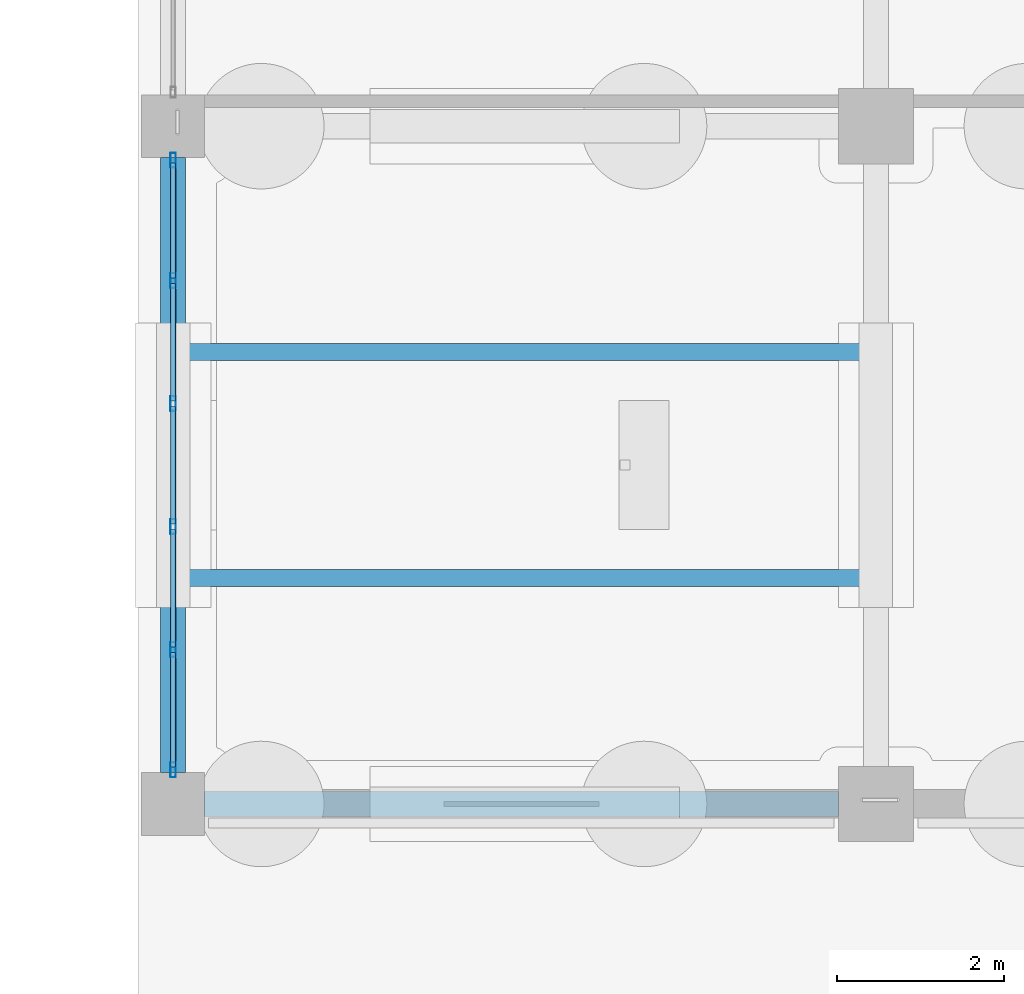
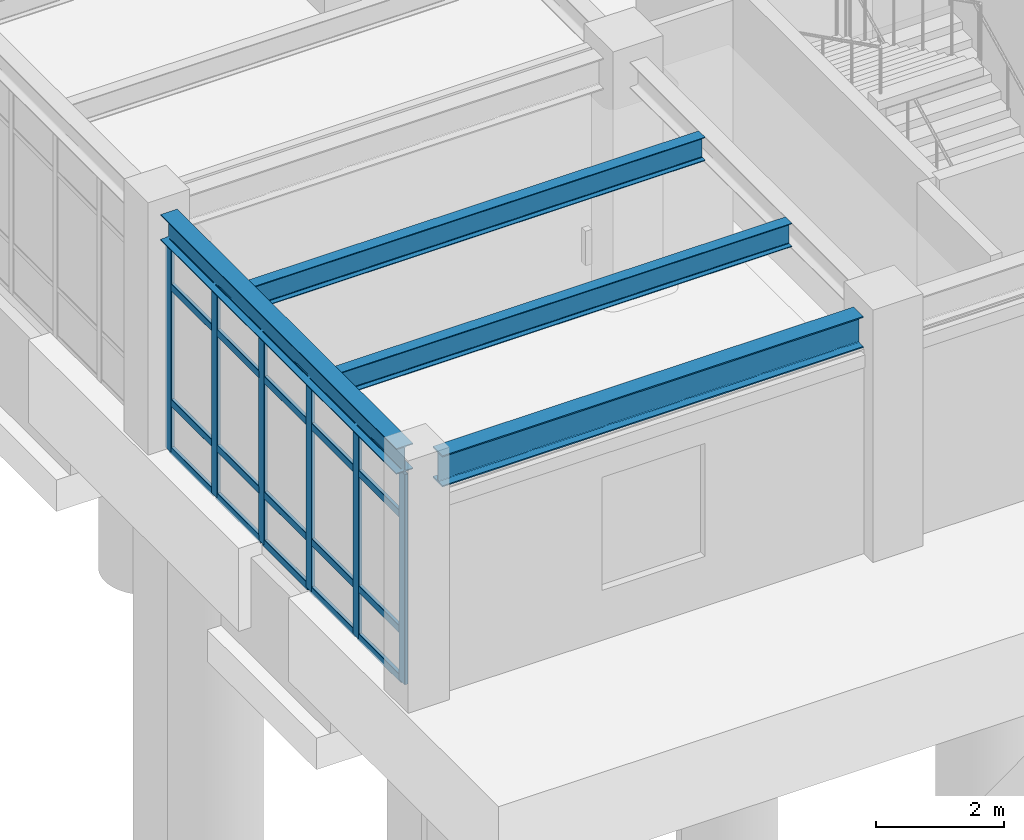
# One storey, part 58 of 139: 26 members, 4 beams, 1 element without a shape of its own.
"""IFC4 building model written with IfcOpenShell, lengths in metres."""

from ifc_helpers import new_model, si_unit, direction, frame, origin, origin_2d, place, context, subcontext, project, spatial, hollow_rectangle, i_section, extrude, material, material_profile, profile_set, type_object, element, aggregate, save


model = new_model("IFC4")

# Units and contexts
model_context = context("Model", 3, precision=1e-05, world=origin(), true_north=direction((0.0, 1.0)))
body_context = subcontext(model_context, "Body", "Model", "MODEL_VIEW")
ifc_project = project(units=[si_unit("LENGTHUNIT", "METRE"), si_unit("AREAUNIT", "SQUARE_METRE"), si_unit("VOLUMEUNIT", "CUBIC_METRE"), si_unit("PLANEANGLEUNIT", "RADIAN"), si_unit("MASSUNIT", "GRAM", prefix="KILO")], contexts=[model_context])

# Site, building, storey
site_placement = place(None, origin())
site = spatial("IfcSite", under=ifc_project, at=site_placement, CompositionType="ELEMENT")
building_placement = place(site_placement, origin())
building = spatial("IfcBuilding", under=site, at=building_placement, Name="Canglan Escarpment Cableway Terminal", CompositionType="ELEMENT")
storey_placement = place(building_placement, frame((0.0, 0.0, 14.39990234375)))
storey = spatial("IfcBuildingStorey", under=building, at=storey_placement, Name="L03", CompositionType="ELEMENT", Elevation=14.39990234375)

# Beams
ifc_material_1 = material(Name="Steel Q355B", Category="steel")
ifc_material_profile_1 = material_profile(ifc_material_1, i_section(OverallWidth=0.300048828125, OverallDepth=0.488037109375, WebThickness=0.010986328125, FlangeThickness=0.01806640625, FilletRadius=0.02587890625, at=origin_2d()), Name="HM 488x300x11x18")
ifc_profile_set_1 = profile_set([ifc_material_profile_1], Name="Steel Q355B")
beam_type_1 = type_object("IfcBeamType", Name="BM-HM488", PredefinedType="BEAM", material=ifc_profile_set_1)
beam_1_placement = place(storey_placement, frame((111.5, 89.27490234375, 4.256103515625), z_axis=(0.0, 1.0, 0.0), x_axis=(-1.0, 0.0, 0.0)))
element("IfcBeam", 1, at=beam_1_placement, inside=storey, type_object=beam_type_1, Name="Primary transverse girder B-09", PredefinedType="BEAM", context=body_context, shape_type="SweptSolid", body=[
    extrude(i_section(OverallWidth=0.300048828125, OverallDepth=0.488037109375, WebThickness=0.010986328125, FlangeThickness=0.01806640625, FilletRadius=0.02587890625, at=origin_2d()), origin(), (0.0, 0.0, 1.0), 7.35009765625),
])
ifc_material_2 = material(Name="Steel Q355C", Category="steel")
ifc_material_profile_2 = material_profile(ifc_material_2, i_section(OverallWidth=0.302001953125, OverallDepth=0.593994140625, WebThickness=0.013916015625, FlangeThickness=0.02294921875, FilletRadius=0.028076171875, at=origin_2d()), Name="HM 594x302x14x23")
ifc_profile_set_2 = profile_set([ifc_material_profile_2], Name="Steel Q355C")
beam_type_2 = type_object("IfcBeamType", Name="BM-HM594", PredefinedType="BEAM", material=ifc_profile_set_2)
beam_2_placement = place(storey_placement, frame((111.875, 88.89990234375, 4.203125), z_axis=(1.0, 0.0, 0.0), x_axis=(0.0, 1.0, 0.0)))
element("IfcBeam", 2, at=beam_2_placement, inside=storey, type_object=beam_type_2, Name="Primary structural girder B-07", PredefinedType="BEAM", context=body_context, shape_type="SweptSolid", body=[
    extrude(i_section(OverallWidth=0.302001953125, OverallDepth=0.593994140625, WebThickness=0.013916015625, FlangeThickness=0.02294921875, FilletRadius=0.028076171875, at=origin_2d()), origin(), (0.0, 0.0, 1.0), 7.574951171875),
])

# Curtain wall, members
ifc_material_3 = material(Name="Anodized bronze aluminium and Low-E double glazing", Category="aluminium")
curtain_wall_type = type_object("IfcCurtainWallType", Name="CW-BAY-7350x4000", PredefinedType="NOTDEFINED", material=ifc_material_3)
curtain_wall_placement = place(storey_placement, origin())
curtain_wall = element("IfcCurtainWall", 3, at=curtain_wall_placement, inside=storey, type_object=curtain_wall_type, Name="Classical bay-between-piers glazed curtain wall CW-47", PredefinedType="NOTDEFINED")
ifc_material_4 = material(Name="Thermally broken anodized aluminium 6063-T6", Category="aluminium")
ifc_material_profile_3 = material_profile(ifc_material_4, hollow_rectangle(XDim=0.06494140625, YDim=0.179931640625, WallThickness=0.00390625, InnerFilletRadius=0.00390625, OuterFilletRadius=0.008056640625, at=origin_2d()), Name="ALU-MULL 65x180x4")
ifc_profile_set_3 = profile_set([ifc_material_profile_3], Name="Thermally broken anodized aluminium 6063-T6")
member_type_1 = type_object("IfcMemberType", Name="CWM-03", PredefinedType="MULLION", material=ifc_profile_set_3)
member_1_placement = place(storey_placement, frame((111.5, 96.592529296875, 0.0), z_axis=(0.0, 0.0, 1.0), x_axis=(1.0, 0.0, 0.0)))
member_1 = element("IfcMember", 4, at=member_1_placement, type_object=member_type_1, Name="CW-47 mullion 1", PredefinedType="MULLION", context=body_context, shape_type="SweptSolid", body=[
    extrude(hollow_rectangle(XDim=0.06494140625, YDim=0.179931640625, WallThickness=0.00390625, InnerFilletRadius=0.00390625, OuterFilletRadius=0.008056640625, at=origin_2d()), origin(), (0.0, 0.0, 1.0), 3.9970703125),
])
member_2_placement = place(storey_placement, frame((111.5, 95.155029296875, 0.0), z_axis=(0.0, 0.0, 1.0), x_axis=(1.0, 0.0, 0.0)))
member_2 = element("IfcMember", 5, at=member_2_placement, type_object=member_type_1, Name="CW-47 mullion 2", PredefinedType="MULLION", context=body_context, shape_type="SweptSolid", body=[
    extrude(hollow_rectangle(XDim=0.06494140625, YDim=0.179931640625, WallThickness=0.00390625, InnerFilletRadius=0.00390625, OuterFilletRadius=0.008056640625, at=origin_2d()), origin(), (0.0, 0.0, 1.0), 3.9970703125),
])
member_3_placement = place(storey_placement, frame((111.5, 93.68505859375, 0.0), z_axis=(0.0, 0.0, 1.0), x_axis=(1.0, 0.0, 0.0)))
member_3 = element("IfcMember", 6, at=member_3_placement, type_object=member_type_1, Name="CW-47 mullion 3", PredefinedType="MULLION", context=body_context, shape_type="SweptSolid", body=[
    extrude(hollow_rectangle(XDim=0.06494140625, YDim=0.179931640625, WallThickness=0.00390625, InnerFilletRadius=0.00390625, OuterFilletRadius=0.008056640625, at=origin_2d()), origin(), (0.0, 0.0, 1.0), 3.9970703125),
])
member_4_placement = place(storey_placement, frame((111.5, 92.215087890625, 0.0), z_axis=(0.0, 0.0, 1.0), x_axis=(1.0, 0.0, 0.0)))
member_4 = element("IfcMember", 7, at=member_4_placement, type_object=member_type_1, Name="CW-47 mullion 4", PredefinedType="MULLION", context=body_context, shape_type="SweptSolid", body=[
    extrude(hollow_rectangle(XDim=0.06494140625, YDim=0.179931640625, WallThickness=0.00390625, InnerFilletRadius=0.00390625, OuterFilletRadius=0.008056640625, at=origin_2d()), origin(), (0.0, 0.0, 1.0), 3.9970703125),
])
member_5_placement = place(storey_placement, frame((111.5, 90.7451171875, 0.0), z_axis=(0.0, 0.0, 1.0), x_axis=(1.0, 0.0, 0.0)))
member_5 = element("IfcMember", 8, at=member_5_placement, type_object=member_type_1, Name="CW-47 mullion 5", PredefinedType="MULLION", context=body_context, shape_type="SweptSolid", body=[
    extrude(hollow_rectangle(XDim=0.06494140625, YDim=0.179931640625, WallThickness=0.00390625, InnerFilletRadius=0.00390625, OuterFilletRadius=0.008056640625, at=origin_2d()), origin(), (0.0, 0.0, 1.0), 3.9970703125),
])
member_6_placement = place(storey_placement, frame((111.5, 89.3076171875, 0.0), z_axis=(0.0, 0.0, 1.0), x_axis=(1.0, 0.0, 0.0)))
member_6 = element("IfcMember", 9, at=member_6_placement, type_object=member_type_1, Name="CW-47 mullion 6", PredefinedType="MULLION", context=body_context, shape_type="SweptSolid", body=[
    extrude(hollow_rectangle(XDim=0.06494140625, YDim=0.179931640625, WallThickness=0.00390625, InnerFilletRadius=0.00390625, OuterFilletRadius=0.008056640625, at=origin_2d()), origin(), (0.0, 0.0, 1.0), 3.9970703125),
])
ifc_material_profile_4 = material_profile(ifc_material_4, hollow_rectangle(XDim=0.06494140625, YDim=0.139892578125, WallThickness=0.00341796875, InnerFilletRadius=0.00341796875, OuterFilletRadius=0.007080078125, at=origin_2d()), Name="ALU-TRAN 65x140x3.5")
ifc_profile_set_4 = profile_set([ifc_material_profile_4], Name="Thermally broken anodized aluminium 6063-T6")
member_type_2 = type_object("IfcMemberType", Name="CWT-03", PredefinedType="USERDEFINED", material=ifc_profile_set_4)
member_7_placement = place(storey_placement, frame((111.5, 96.56005859375, 0.03271484375), z_axis=(0.0, -1.0, 0.0), x_axis=(1.0, 0.0, 0.0)))
member_7 = element("IfcMember", 10, at=member_7_placement, type_object=member_type_2, Name="CW-47 transom 1.1", ObjectType="TRANSOM", PredefinedType="USERDEFINED", context=body_context, shape_type="SweptSolid", body=[
    extrude(hollow_rectangle(XDim=0.06494140625, YDim=0.139892578125, WallThickness=0.00341796875, InnerFilletRadius=0.00341796875, OuterFilletRadius=0.007080078125, at=origin_2d()), origin(), (0.0, 0.0, 1.0), 1.37255859375),
])
member_8_placement = place(storey_placement, frame((111.5, 96.56005859375, 0.9501953125), z_axis=(0.0, -1.0, 0.0), x_axis=(1.0, 0.0, 0.0)))
member_8 = element("IfcMember", 11, at=member_8_placement, type_object=member_type_2, Name="CW-47 transom 1.2", ObjectType="TRANSOM", PredefinedType="USERDEFINED", context=body_context, shape_type="SweptSolid", body=[
    extrude(hollow_rectangle(XDim=0.06494140625, YDim=0.139892578125, WallThickness=0.00341796875, InnerFilletRadius=0.00341796875, OuterFilletRadius=0.007080078125, at=origin_2d()), origin(), (0.0, 0.0, 1.0), 1.37255859375),
])
member_9_placement = place(storey_placement, frame((111.5, 96.56005859375, 3.147216796875), z_axis=(0.0, -1.0, 0.0), x_axis=(1.0, 0.0, 0.0)))
member_9 = element("IfcMember", 12, at=member_9_placement, type_object=member_type_2, Name="CW-47 transom 1.3", ObjectType="TRANSOM", PredefinedType="USERDEFINED", context=body_context, shape_type="SweptSolid", body=[
    extrude(hollow_rectangle(XDim=0.06494140625, YDim=0.139892578125, WallThickness=0.00341796875, InnerFilletRadius=0.00341796875, OuterFilletRadius=0.007080078125, at=origin_2d()), origin(), (0.0, 0.0, 1.0), 1.37255859375),
])
member_10_placement = place(storey_placement, frame((111.5, 96.56005859375, 3.964599609375), z_axis=(0.0, -1.0, 0.0), x_axis=(1.0, 0.0, 0.0)))
member_10 = element("IfcMember", 13, at=member_10_placement, type_object=member_type_2, Name="CW-47 transom 1.4", ObjectType="TRANSOM", PredefinedType="USERDEFINED", context=body_context, shape_type="SweptSolid", body=[
    extrude(hollow_rectangle(XDim=0.06494140625, YDim=0.139892578125, WallThickness=0.00341796875, InnerFilletRadius=0.00341796875, OuterFilletRadius=0.007080078125, at=origin_2d()), origin(), (0.0, 0.0, 1.0), 1.37255859375),
])
member_11_placement = place(storey_placement, frame((111.5, 95.12255859375, 0.03271484375), z_axis=(0.0, -1.0, 0.0), x_axis=(1.0, 0.0, 0.0)))
member_11 = element("IfcMember", 14, at=member_11_placement, type_object=member_type_2, Name="CW-47 transom 2.1", ObjectType="TRANSOM", PredefinedType="USERDEFINED", context=body_context, shape_type="SweptSolid", body=[
    extrude(hollow_rectangle(XDim=0.06494140625, YDim=0.139892578125, WallThickness=0.00341796875, InnerFilletRadius=0.00341796875, OuterFilletRadius=0.007080078125, at=origin_2d()), origin(), (0.0, 0.0, 1.0), 1.405029296875),
])
member_12_placement = place(storey_placement, frame((111.5, 95.12255859375, 0.9501953125), z_axis=(0.0, -1.0, 0.0), x_axis=(1.0, 0.0, 0.0)))
member_12 = element("IfcMember", 15, at=member_12_placement, type_object=member_type_2, Name="CW-47 transom 2.2", ObjectType="TRANSOM", PredefinedType="USERDEFINED", context=body_context, shape_type="SweptSolid", body=[
    extrude(hollow_rectangle(XDim=0.06494140625, YDim=0.139892578125, WallThickness=0.00341796875, InnerFilletRadius=0.00341796875, OuterFilletRadius=0.007080078125, at=origin_2d()), origin(), (0.0, 0.0, 1.0), 1.405029296875),
])
member_13_placement = place(storey_placement, frame((111.5, 95.12255859375, 3.147216796875), z_axis=(0.0, -1.0, 0.0), x_axis=(1.0, 0.0, 0.0)))
member_13 = element("IfcMember", 16, at=member_13_placement, type_object=member_type_2, Name="CW-47 transom 2.3", ObjectType="TRANSOM", PredefinedType="USERDEFINED", context=body_context, shape_type="SweptSolid", body=[
    extrude(hollow_rectangle(XDim=0.06494140625, YDim=0.139892578125, WallThickness=0.00341796875, InnerFilletRadius=0.00341796875, OuterFilletRadius=0.007080078125, at=origin_2d()), origin(), (0.0, 0.0, 1.0), 1.405029296875),
])
member_14_placement = place(storey_placement, frame((111.5, 95.12255859375, 3.964599609375), z_axis=(0.0, -1.0, 0.0), x_axis=(1.0, 0.0, 0.0)))
member_14 = element("IfcMember", 17, at=member_14_placement, type_object=member_type_2, Name="CW-47 transom 2.4", ObjectType="TRANSOM", PredefinedType="USERDEFINED", context=body_context, shape_type="SweptSolid", body=[
    extrude(hollow_rectangle(XDim=0.06494140625, YDim=0.139892578125, WallThickness=0.00341796875, InnerFilletRadius=0.00341796875, OuterFilletRadius=0.007080078125, at=origin_2d()), origin(), (0.0, 0.0, 1.0), 1.405029296875),
])
member_15_placement = place(storey_placement, frame((111.5, 93.652587890625, 0.03271484375), z_axis=(0.0, -1.0, 0.0), x_axis=(1.0, 0.0, 0.0)))
member_15 = element("IfcMember", 18, at=member_15_placement, type_object=member_type_2, Name="CW-47 transom 3.1", ObjectType="TRANSOM", PredefinedType="USERDEFINED", context=body_context, shape_type="SweptSolid", body=[
    extrude(hollow_rectangle(XDim=0.06494140625, YDim=0.139892578125, WallThickness=0.00341796875, InnerFilletRadius=0.00341796875, OuterFilletRadius=0.007080078125, at=origin_2d()), origin(), (0.0, 0.0, 1.0), 1.405029296875),
])
member_16_placement = place(storey_placement, frame((111.5, 93.652587890625, 0.9501953125), z_axis=(0.0, -1.0, 0.0), x_axis=(1.0, 0.0, 0.0)))
member_16 = element("IfcMember", 19, at=member_16_placement, type_object=member_type_2, Name="CW-47 transom 3.2", ObjectType="TRANSOM", PredefinedType="USERDEFINED", context=body_context, shape_type="SweptSolid", body=[
    extrude(hollow_rectangle(XDim=0.06494140625, YDim=0.139892578125, WallThickness=0.00341796875, InnerFilletRadius=0.00341796875, OuterFilletRadius=0.007080078125, at=origin_2d()), origin(), (0.0, 0.0, 1.0), 1.405029296875),
])
member_17_placement = place(storey_placement, frame((111.5, 93.652587890625, 3.147216796875), z_axis=(0.0, -1.0, 0.0), x_axis=(1.0, 0.0, 0.0)))
member_17 = element("IfcMember", 20, at=member_17_placement, type_object=member_type_2, Name="CW-47 transom 3.3", ObjectType="TRANSOM", PredefinedType="USERDEFINED", context=body_context, shape_type="SweptSolid", body=[
    extrude(hollow_rectangle(XDim=0.06494140625, YDim=0.139892578125, WallThickness=0.00341796875, InnerFilletRadius=0.00341796875, OuterFilletRadius=0.007080078125, at=origin_2d()), origin(), (0.0, 0.0, 1.0), 1.405029296875),
])
member_18_placement = place(storey_placement, frame((111.5, 93.652587890625, 3.964599609375), z_axis=(0.0, -1.0, 0.0), x_axis=(1.0, 0.0, 0.0)))
member_18 = element("IfcMember", 21, at=member_18_placement, type_object=member_type_2, Name="CW-47 transom 3.4", ObjectType="TRANSOM", PredefinedType="USERDEFINED", context=body_context, shape_type="SweptSolid", body=[
    extrude(hollow_rectangle(XDim=0.06494140625, YDim=0.139892578125, WallThickness=0.00341796875, InnerFilletRadius=0.00341796875, OuterFilletRadius=0.007080078125, at=origin_2d()), origin(), (0.0, 0.0, 1.0), 1.405029296875),
])
member_19_placement = place(storey_placement, frame((111.5, 92.1826171875, 0.03271484375), z_axis=(0.0, -1.0, 0.0), x_axis=(1.0, 0.0, 0.0)))
member_19 = element("IfcMember", 22, at=member_19_placement, type_object=member_type_2, Name="CW-47 transom 4.1", ObjectType="TRANSOM", PredefinedType="USERDEFINED", context=body_context, shape_type="SweptSolid", body=[
    extrude(hollow_rectangle(XDim=0.06494140625, YDim=0.139892578125, WallThickness=0.00341796875, InnerFilletRadius=0.00341796875, OuterFilletRadius=0.007080078125, at=origin_2d()), origin(), (0.0, 0.0, 1.0), 1.405029296875),
])
member_20_placement = place(storey_placement, frame((111.5, 92.1826171875, 0.9501953125), z_axis=(0.0, -1.0, 0.0), x_axis=(1.0, 0.0, 0.0)))
member_20 = element("IfcMember", 23, at=member_20_placement, type_object=member_type_2, Name="CW-47 transom 4.2", ObjectType="TRANSOM", PredefinedType="USERDEFINED", context=body_context, shape_type="SweptSolid", body=[
    extrude(hollow_rectangle(XDim=0.06494140625, YDim=0.139892578125, WallThickness=0.00341796875, InnerFilletRadius=0.00341796875, OuterFilletRadius=0.007080078125, at=origin_2d()), origin(), (0.0, 0.0, 1.0), 1.405029296875),
])
member_21_placement = place(storey_placement, frame((111.5, 92.1826171875, 3.147216796875), z_axis=(0.0, -1.0, 0.0), x_axis=(1.0, 0.0, 0.0)))
member_21 = element("IfcMember", 24, at=member_21_placement, type_object=member_type_2, Name="CW-47 transom 4.3", ObjectType="TRANSOM", PredefinedType="USERDEFINED", context=body_context, shape_type="SweptSolid", body=[
    extrude(hollow_rectangle(XDim=0.06494140625, YDim=0.139892578125, WallThickness=0.00341796875, InnerFilletRadius=0.00341796875, OuterFilletRadius=0.007080078125, at=origin_2d()), origin(), (0.0, 0.0, 1.0), 1.405029296875),
])
member_22_placement = place(storey_placement, frame((111.5, 92.1826171875, 3.964599609375), z_axis=(0.0, -1.0, 0.0), x_axis=(1.0, 0.0, 0.0)))
member_22 = element("IfcMember", 25, at=member_22_placement, type_object=member_type_2, Name="CW-47 transom 4.4", ObjectType="TRANSOM", PredefinedType="USERDEFINED", context=body_context, shape_type="SweptSolid", body=[
    extrude(hollow_rectangle(XDim=0.06494140625, YDim=0.139892578125, WallThickness=0.00341796875, InnerFilletRadius=0.00341796875, OuterFilletRadius=0.007080078125, at=origin_2d()), origin(), (0.0, 0.0, 1.0), 1.405029296875),
])
member_23_placement = place(storey_placement, frame((111.5, 90.71240234375, 0.03271484375), z_axis=(0.0, -1.0, 0.0), x_axis=(1.0, 0.0, 0.0)))
member_23 = element("IfcMember", 26, at=member_23_placement, type_object=member_type_2, Name="CW-47 transom 5.1", ObjectType="TRANSOM", PredefinedType="USERDEFINED", context=body_context, shape_type="SweptSolid", body=[
    extrude(hollow_rectangle(XDim=0.06494140625, YDim=0.139892578125, WallThickness=0.00341796875, InnerFilletRadius=0.00341796875, OuterFilletRadius=0.007080078125, at=origin_2d()), origin(), (0.0, 0.0, 1.0), 1.372314453125),
])
member_24_placement = place(storey_placement, frame((111.5, 90.71240234375, 0.9501953125), z_axis=(0.0, -1.0, 0.0), x_axis=(1.0, 0.0, 0.0)))
member_24 = element("IfcMember", 27, at=member_24_placement, type_object=member_type_2, Name="CW-47 transom 5.2", ObjectType="TRANSOM", PredefinedType="USERDEFINED", context=body_context, shape_type="SweptSolid", body=[
    extrude(hollow_rectangle(XDim=0.06494140625, YDim=0.139892578125, WallThickness=0.00341796875, InnerFilletRadius=0.00341796875, OuterFilletRadius=0.007080078125, at=origin_2d()), origin(), (0.0, 0.0, 1.0), 1.372314453125),
])
member_25_placement = place(storey_placement, frame((111.5, 90.71240234375, 3.147216796875), z_axis=(0.0, -1.0, 0.0), x_axis=(1.0, 0.0, 0.0)))
member_25 = element("IfcMember", 28, at=member_25_placement, type_object=member_type_2, Name="CW-47 transom 5.3", ObjectType="TRANSOM", PredefinedType="USERDEFINED", context=body_context, shape_type="SweptSolid", body=[
    extrude(hollow_rectangle(XDim=0.06494140625, YDim=0.139892578125, WallThickness=0.00341796875, InnerFilletRadius=0.00341796875, OuterFilletRadius=0.007080078125, at=origin_2d()), origin(), (0.0, 0.0, 1.0), 1.372314453125),
])
member_26_placement = place(storey_placement, frame((111.5, 90.71240234375, 3.964599609375), z_axis=(0.0, -1.0, 0.0), x_axis=(1.0, 0.0, 0.0)))
member_26 = element("IfcMember", 29, at=member_26_placement, type_object=member_type_2, Name="CW-47 transom 5.4", ObjectType="TRANSOM", PredefinedType="USERDEFINED", context=body_context, shape_type="SweptSolid", body=[
    extrude(hollow_rectangle(XDim=0.06494140625, YDim=0.139892578125, WallThickness=0.00341796875, InnerFilletRadius=0.00341796875, OuterFilletRadius=0.007080078125, at=origin_2d()), origin(), (0.0, 0.0, 1.0), 1.372314453125),
])
aggregate(curtain_wall, [member_1, member_2, member_3, member_4, member_5, member_6, member_7, member_8, member_9, member_10, member_11, member_12, member_13, member_14, member_15, member_16, member_17, member_18, member_19, member_20, member_21, member_22, member_23, member_24, member_25, member_26])

# Beams
ifc_material_profile_5 = material_profile(ifc_material_1, i_section(OverallWidth=0.199951171875, OverallDepth=0.449951171875, WebThickness=0.009033203125, FlangeThickness=0.013916015625, FilletRadius=0.01806640625, at=origin_2d()), Name="HN 450x200x9x14")
ifc_profile_set_5 = profile_set([ifc_material_profile_5], Name="Steel Q355B")
beam_type_3 = type_object("IfcBeamType", Name="JS-HN450", PredefinedType="JOIST", material=ifc_profile_set_5)
for number, where, z_axis, x_axis, name in (
    (30, (111.64990234375, 91.60009765625, 4.275146484375), (1.0, 0.0, 0.0), (0.0, 1.0, 0.0), "Secondary composite deck joist J-02"),
    (31, (111.64990234375, 94.300048828125, 4.275146484375), (1.0, 0.0, 0.0), (0.0, 1.0, 0.0), "Secondary composite deck joist J-02"),
):
    element("IfcBeam", number, at=place(storey_placement, frame(where, z_axis=z_axis, x_axis=x_axis)), inside=storey, type_object=beam_type_3, Name=name, PredefinedType="JOIST", context=body_context, shape_type="SweptSolid", body=[
        extrude(i_section(OverallWidth=0.199951171875, OverallDepth=0.449951171875, WebThickness=0.009033203125, FlangeThickness=0.013916015625, FilletRadius=0.01806640625, at=origin_2d()), origin(), (0.0, 0.0, 1.0), 8.10009765625),
    ])

save(model, "model.ifc")
